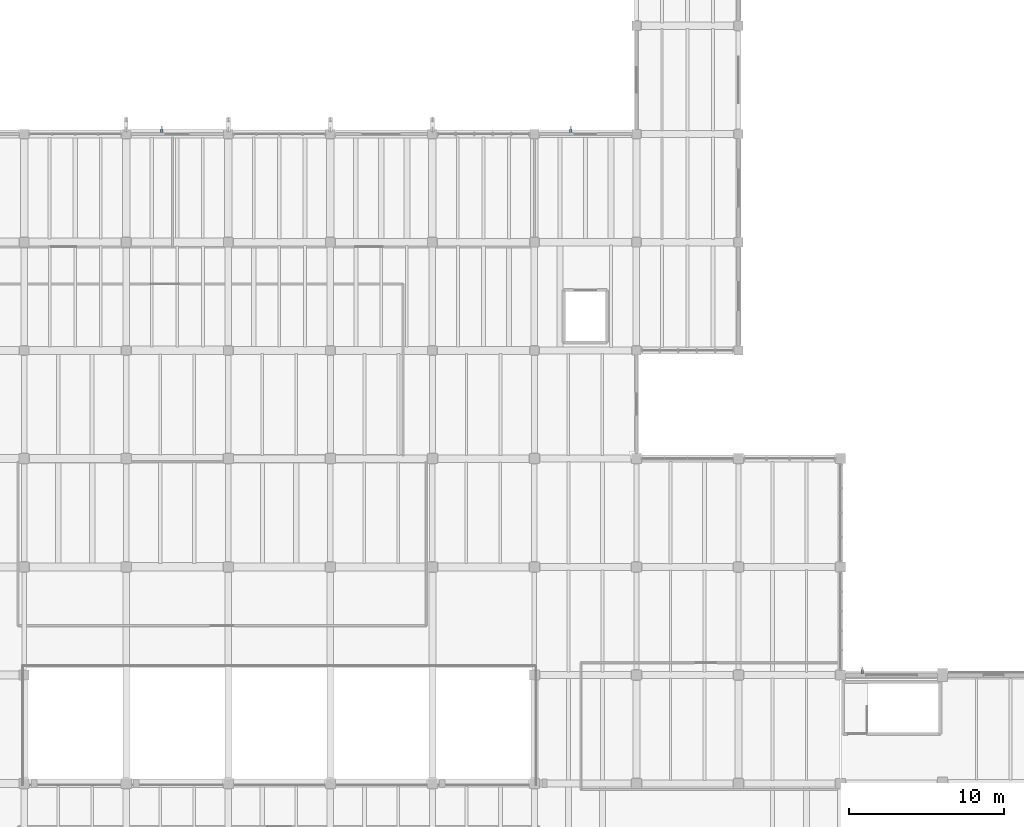
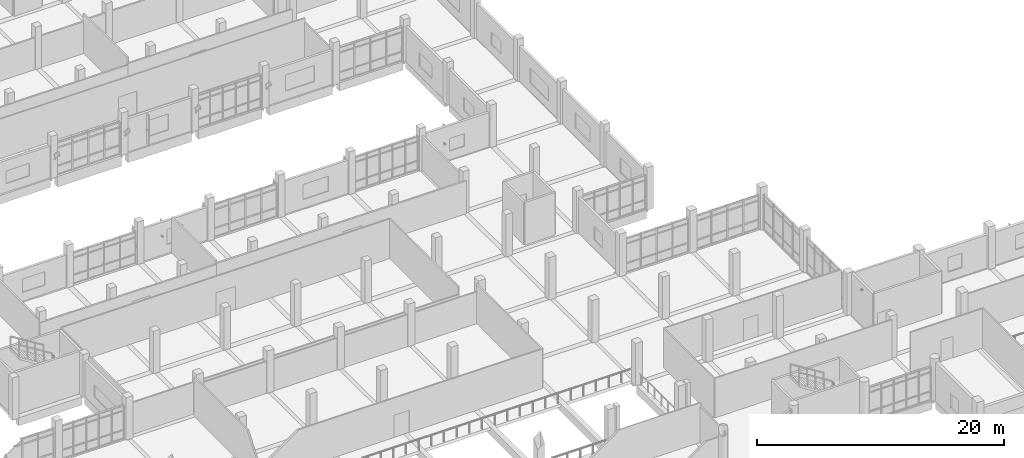
# One storey, part 55 of 68: 3 discrete accessories.
"""IFC4 building model written with IfcOpenShell, lengths in metres."""

from ifc_helpers import new_model, si_unit, direction, frame, origin, origin_2d, place, context, subcontext, project, spatial, rectangle, extrude, material, type_object, element, save


model = new_model("IFC4")

# Units and contexts
model_context = context("Model", 3, precision=1e-05, world=origin(), true_north=direction((0.0, 1.0)))
body_context = subcontext(model_context, "Body", "Model", "MODEL_VIEW")
ifc_project = project(units=[si_unit("LENGTHUNIT", "METRE"), si_unit("AREAUNIT", "SQUARE_METRE"), si_unit("VOLUMEUNIT", "CUBIC_METRE"), si_unit("PLANEANGLEUNIT", "RADIAN"), si_unit("MASSUNIT", "GRAM", prefix="KILO")], contexts=[model_context])

# Site, building, storey
site_placement = place(None, origin())
site = spatial("IfcSite", under=ifc_project, at=site_placement, CompositionType="ELEMENT")
building_placement = place(site_placement, origin())
building = spatial("IfcBuilding", under=site, at=building_placement, Name="Ciguamira Faculty of Natural Sciences", CompositionType="ELEMENT")
storey_placement = place(building_placement, frame((0.0, 0.0, 4.199951171875)))
storey = spatial("IfcBuildingStorey", under=building, at=storey_placement, Name="L01", CompositionType="ELEMENT", Elevation=4.199951171875)

# Discrete accessories
ifc_material = material(Name="Stainless steel fixing bracket", Category="steel")
discrete_accessory_type = type_object("IfcDiscreteAccessoryType", Name="FacadeBracket_BK01", PredefinedType="BRACKET", material=ifc_material)
for number, where, z_axis, x_axis, name in (
    (1, (124.699951171875, 24.239990234375, 1.5703125), (0.0, 0.0, 1.0), (1.0, 0.0, 0.0), "L01 sunshade fixing bracket 0011"),
    (2, (79.39990234375, 59.2099609375, 1.52001953125), (0.0, 0.0, 1.0), (1.0, 0.0, 0.0), "L01 sunshade fixing bracket 0014"),
    (3, (105.85009765625, 59.2099609375, 1.39501953125), (0.0, 0.0, 1.0), (1.0, 0.0, 0.0), "L01 sunshade fixing bracket 0015"),
):
    element("IfcDiscreteAccessory", number, at=place(storey_placement, frame(where, z_axis=z_axis, x_axis=x_axis)), inside=storey, type_object=discrete_accessory_type, Name=name, PredefinedType="BRACKET", context=body_context, shape_type="SweptSolid", body=[
        extrude(rectangle(XDim=0.159912109375, YDim=0.239990234375, at=origin_2d()), origin(), (0.0, 0.0, 1.0), 0.159912109375),
    ])

save(model, "model.ifc")
